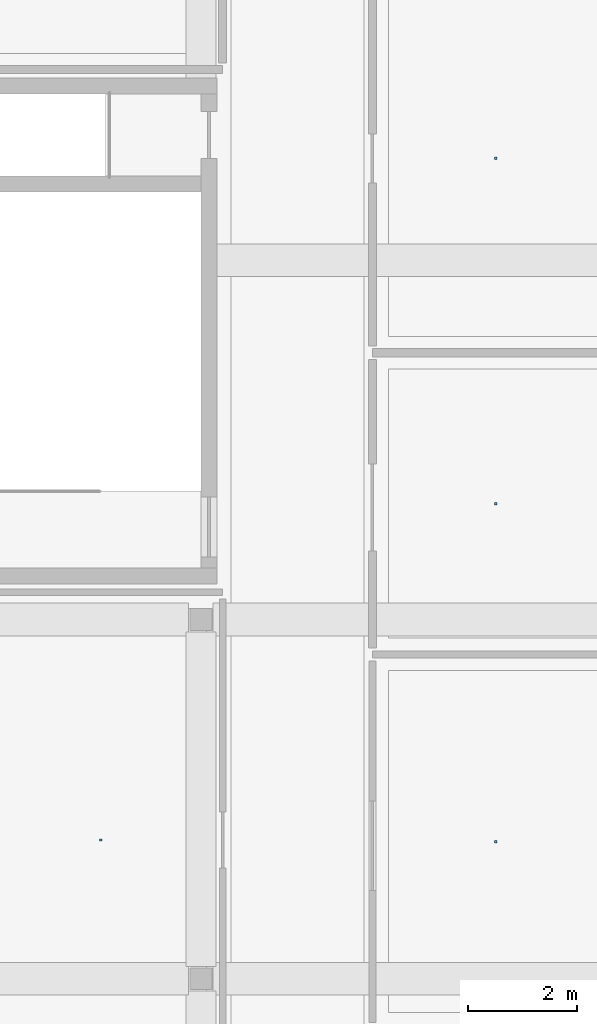
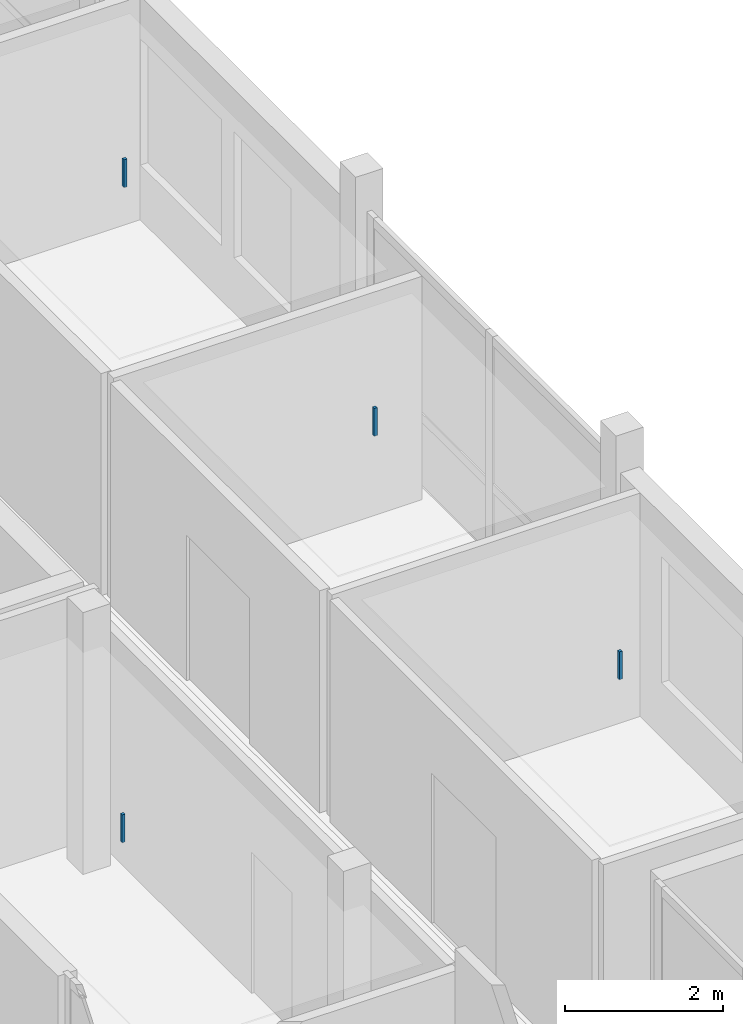
# One storey, part 19 of 24: 4 discrete accessories.
"""IFC4 building model written with IfcOpenShell, lengths in metres."""

import ifcopenshell
import ifcopenshell.guid

model = None  # the IFC model being written
_history = None  # IfcOwnerHistory: only IFC2X3 demands one
_inside = {}  # id of a spatial element -> (the spatial element, [elements in it])
_under = {}  # id of a project, library or spatial element -> (it, [spatial elements below it])
_declared = {}  # id of a project -> (the project, [libraries it declares])
_typed = {}  # id of a type object -> (the type object, [elements of that type])
_made_of = {}  # id of a material, layer set ... -> (it, [elements and type objects made of it])


def new_model(schema):
    """Start an empty IFC model of exactly this schema.

    Asked for "IFC4X3", IfcOpenShell would pick the latest addendum, in which some entities
    have other attributes; the version numbers below select the first issue.
    IFC2X3 requires an IfcOwnerHistory on every rooted entity: one is made here for all.
    """
    global model, _history
    if schema == "IFC4X3":
        model = ifcopenshell.file(schema_version=(4, 3, 0, 0))
    else:
        model = ifcopenshell.file(schema=schema)
    _inside.clear()
    _under.clear()
    _declared.clear()
    _typed.clear()
    _made_of.clear()
    _history = None
    if model.schema == "IFC2X3":
        org = make("IfcOrganization", Name="unknown")
        user = make(
            "IfcPersonAndOrganization",
            ThePerson=make("IfcPerson", FamilyName="unknown"),
            TheOrganization=org,
        )
        app = make(
            "IfcApplication",
            ApplicationDeveloper=org,
            Version="unknown",
            ApplicationFullName="unknown",
            ApplicationIdentifier="unknown",
        )
        _history = make(
            "IfcOwnerHistory",
            OwningUser=user,
            OwningApplication=app,
            ChangeAction="ADDED",
            CreationDate=0,
        )
    return model


def make(cls, **values):
    """One entity of the class cls with the attributes given. An attribute that is None is left unset."""
    return model.create_entity(
        cls, **{name: value for name, value in values.items() if value is not None}
    )


def rooted(cls, **values):
    """An entity with a GlobalId (a new one), such as an element, a storey or a relation."""
    return make(cls, GlobalId=ifcopenshell.guid.new(), OwnerHistory=_history, **values)


def si_unit(unit_type, name, prefix=None):
    """IfcSIUnit, for example si_unit("LENGTHUNIT", "METRE", prefix="MILLI")."""
    return make("IfcSIUnit", UnitType=unit_type, Prefix=prefix, Name=name)


def derived_unit(unit_type, elements):
    """IfcDerivedUnit: a product of units, each with its exponent."""
    return make(
        "IfcDerivedUnit",
        Elements=[
            make("IfcDerivedUnitElement", Unit=unit, Exponent=power)
            for unit, power in elements
        ],
        UnitType=unit_type,
    )


def assignment(units):
    """IfcUnitAssignment: the units of a project."""
    return None if units is None else make("IfcUnitAssignment", Units=units)


def point(xyz):
    """IfcCartesianPoint."""
    return None if xyz is None else make("IfcCartesianPoint", Coordinates=xyz)


def direction(xyz):
    """IfcDirection."""
    return None if xyz is None else make("IfcDirection", DirectionRatios=xyz)


def frame(location, z_axis=None, x_axis=None):
    """IfcAxis2Placement3D, a coordinate frame: its origin and axes. An axis left out is left unset."""
    return make(
        "IfcAxis2Placement3D",
        Location=point(location),
        Axis=direction(z_axis),
        RefDirection=direction(x_axis),
    )


def frame_2d(location, x_axis=None):
    """IfcAxis2Placement2D, a coordinate frame in the plane: its origin and x axis."""
    return make(
        "IfcAxis2Placement2D", Location=point(location), RefDirection=direction(x_axis)
    )


def origin():
    """The frame at (0, 0, 0) with its axes left unset."""
    return frame((0.0, 0.0, 0.0))


def origin_2d():
    """The frame at (0, 0) in the plane with its x axis left unset."""
    return frame_2d((0.0, 0.0))


def place(relative_to, where):
    """IfcLocalPlacement: puts the frame where relative to a parent placement (None: the world)."""
    return make(
        "IfcLocalPlacement", PlacementRelTo=relative_to, RelativePlacement=where
    )


def context(
    kind, dimensions, precision=None, world=None, true_north=None, identifier=None
):
    """IfcGeometricRepresentationContext, for example the 3D "Model" context."""
    return make(
        "IfcGeometricRepresentationContext",
        ContextIdentifier=identifier,
        ContextType=kind,
        CoordinateSpaceDimension=dimensions,
        Precision=precision,
        WorldCoordinateSystem=world,
        TrueNorth=true_north,
    )


def subcontext(parent, identifier, kind, view, scale=None):
    """IfcGeometricRepresentationSubContext, for example "Body" below "Model"."""
    return make(
        "IfcGeometricRepresentationSubContext",
        ContextIdentifier=identifier,
        ContextType=kind,
        ParentContext=parent,
        TargetScale=scale,
        TargetView=view,
    )


def project(units=None, contexts=None):
    """IfcProject with its units and contexts."""
    return rooted(
        "IfcProject",
        Name="project",
        RepresentationContexts=contexts,
        UnitsInContext=assignment(units),
    )


def spatial(cls, under=None, at=None, **own):
    """A site, building, storey or space (cls), placed at a placement, below another one or the project."""
    s = rooted(cls, ObjectPlacement=at, **own)
    if under is not None:
        _under.setdefault(under.id(), (under, []))[1].append(s)
    return s


def profile(cls, at=None, kind="AREA", **sizes):
    """A parametric profile (cls). Its sizes go by their IFC names, for example OverallWidth=200.0."""
    return make(cls, ProfileType=kind, Position=at, **sizes)


def rectangle(**sizes):
    """IfcRectangleProfileDef."""
    return profile("IfcRectangleProfileDef", **sizes)


def extrude(swept, where, along, depth):
    """IfcExtrudedAreaSolid: the profile swept, set in the frame where, extruded along a direction by depth."""
    return make(
        "IfcExtrudedAreaSolid",
        SweptArea=swept,
        Position=where,
        ExtrudedDirection=direction(along),
        Depth=depth,
    )


def shape(context_of_items, identifier, shape_type, items):
    """IfcShapeRepresentation: the items that make up one representation, for example the "Body"."""
    return make(
        "IfcShapeRepresentation",
        ContextOfItems=context_of_items,
        RepresentationIdentifier=identifier,
        RepresentationType=shape_type,
        Items=items,
    )


def material(Name=None, Category=None):
    """IfcMaterial."""
    return make("IfcMaterial", Name=Name, Category=Category)


def made_of(thing, what):
    """Note that an element or type object is made of a material, layer set ...; save() writes the relation."""
    if what is not None:
        _made_of.setdefault(what.id(), (what, []))[1].append(thing)
    return thing


def type_object(cls, material=None, **own):
    """A type object (cls), such as IfcWallType, which elements share."""
    return made_of(rooted(cls, **own), material)


def element(
    cls,
    number,
    at=None,
    inside=None,
    cuts=None,
    type_object=None,
    material=None,
    context=None,
    identifier="Body",
    shape_type=None,
    held_by="IfcProductDefinitionShape",
    body=None,
    shapes=None,
    **own,
):
    """One element of the class cls, such as IfcWall. Its Tag is "e" and its number.

    at: its placement. inside: the storey or other place that contains it. cuts: it is an
    opening in that element (IfcRelVoidsElement). A single representation is given by context,
    identifier, shape_type and body (its items); several are given by shapes. held_by: the class
    of the entity that holds the representations. save() writes the other relations.
    """
    e = rooted(cls, Tag="e%d" % number, ObjectPlacement=at, **own)
    if body is not None:
        shapes = [shape(context, identifier, shape_type, body)]
    if shapes is not None:
        e.Representation = make(held_by, Representations=shapes)
    if inside is not None:
        _inside.setdefault(inside.id(), (inside, []))[1].append(e)
    if cuts is not None:
        rooted(
            "IfcRelVoidsElement", RelatingBuildingElement=cuts, RelatedOpeningElement=e
        )
    if type_object is not None:
        _typed.setdefault(type_object.id(), (type_object, []))[1].append(e)
    return made_of(e, material)


def aggregate(whole, parts):
    """IfcRelAggregates: a whole, such as a stair, and the parts it consists of."""
    return rooted("IfcRelAggregates", RelatingObject=whole, RelatedObjects=parts)


def save(model, path):
    """Write the relations noted so far, then the file.

    IfcRelAggregates (storeys below a building ...), IfcRelContainedInSpatialStructure (elements
    in a storey), IfcRelDefinesByType, IfcRelAssociatesMaterial and IfcRelDeclares: one each for
    every whole, place, type object, material and project.
    """
    for whole, parts in _under.values():
        aggregate(whole, parts)
    for where, things in _inside.values():
        rooted(
            "IfcRelContainedInSpatialStructure",
            RelatedElements=things,
            RelatingStructure=where,
        )
    for kind, things in _typed.values():
        rooted("IfcRelDefinesByType", RelatedObjects=things, RelatingType=kind)
    for what, things in _made_of.values():
        rooted("IfcRelAssociatesMaterial", RelatedObjects=things, RelatingMaterial=what)
    for by, libraries in _declared.values():
        rooted("IfcRelDeclares", RelatingContext=by, RelatedDefinitions=libraries)
    model.write(path)


model = new_model("IFC4")

# Units and contexts
model_context = context("Model", 3, precision=1e-05, world=origin(), true_north=direction((0.0, 1.0)))
body_context = subcontext(model_context, "Body", "Model", "MODEL_VIEW")
ifc_project = project(units=[si_unit("LENGTHUNIT", "METRE"), si_unit("AREAUNIT", "SQUARE_METRE"), si_unit("VOLUMEUNIT", "CUBIC_METRE"), si_unit("PLANEANGLEUNIT", "RADIAN"), si_unit("MASSUNIT", "GRAM", prefix="KILO"), derived_unit("THERMALTRANSMITTANCEUNIT", [(si_unit("POWERUNIT", "WATT"), 1), (si_unit("LENGTHUNIT", "METRE"), -2), (si_unit("THERMODYNAMICTEMPERATUREUNIT", "KELVIN"), -1)])], contexts=[model_context])

# Site, building, storey
site_placement = place(None, origin())
site = spatial("IfcSite", under=ifc_project, at=site_placement, CompositionType="ELEMENT")
building_placement = place(site_placement, origin())
building = spatial("IfcBuilding", under=site, at=building_placement, Name="Braskholm Square Health Centre", CompositionType="ELEMENT")
storey_placement = place(building_placement, frame((0.0, 0.0, 21.60009765625)))
storey = spatial("IfcBuildingStorey", under=building, at=storey_placement, Name="L06", CompositionType="ELEMENT", Elevation=21.60009765625)

# Discrete accessories
ifc_material = material(Name="Steel ASTM A500 Grade C", Category="steel")
discrete_accessory_type = type_object("IfcDiscreteAccessoryType", Name="CeilingSuspensionBracket", PredefinedType="BRACKET", material=ifc_material)
for number, where, z_axis, x_axis, name in (
    (1, (9.56005859375, 83.14990234375, 3.421875), (0.0, 0.0, 1.0), (1.0, 0.0, 0.0), "Ceiling hanger bracket 0101"),
    (2, (16.81494140625, 83.1201171875, 3.421875), (0.0, 0.0, 1.0), (1.0, 0.0, 0.0), "Ceiling hanger bracket 0109"),
    (3, (16.81494140625, 89.330078125, 3.421875), (0.0, 0.0, 1.0), (1.0, 0.0, 0.0), "Ceiling hanger bracket 0110"),
    (4, (16.81494140625, 95.669921875, 3.421875), (0.0, 0.0, 1.0), (1.0, 0.0, 0.0), "Ceiling hanger bracket 0111"),
):
    element("IfcDiscreteAccessory", number, at=place(storey_placement, frame(where, z_axis=z_axis, x_axis=x_axis)), inside=storey, type_object=discrete_accessory_type, Name=name, PredefinedType="BRACKET", context=body_context, shape_type="SweptSolid", body=[
        extrude(rectangle(XDim=0.044921875, YDim=0.044921875, at=origin_2d()), origin(), (0.0, 0.0, 1.0), 0.429931640625),
    ])

save(model, "model.ifc")
